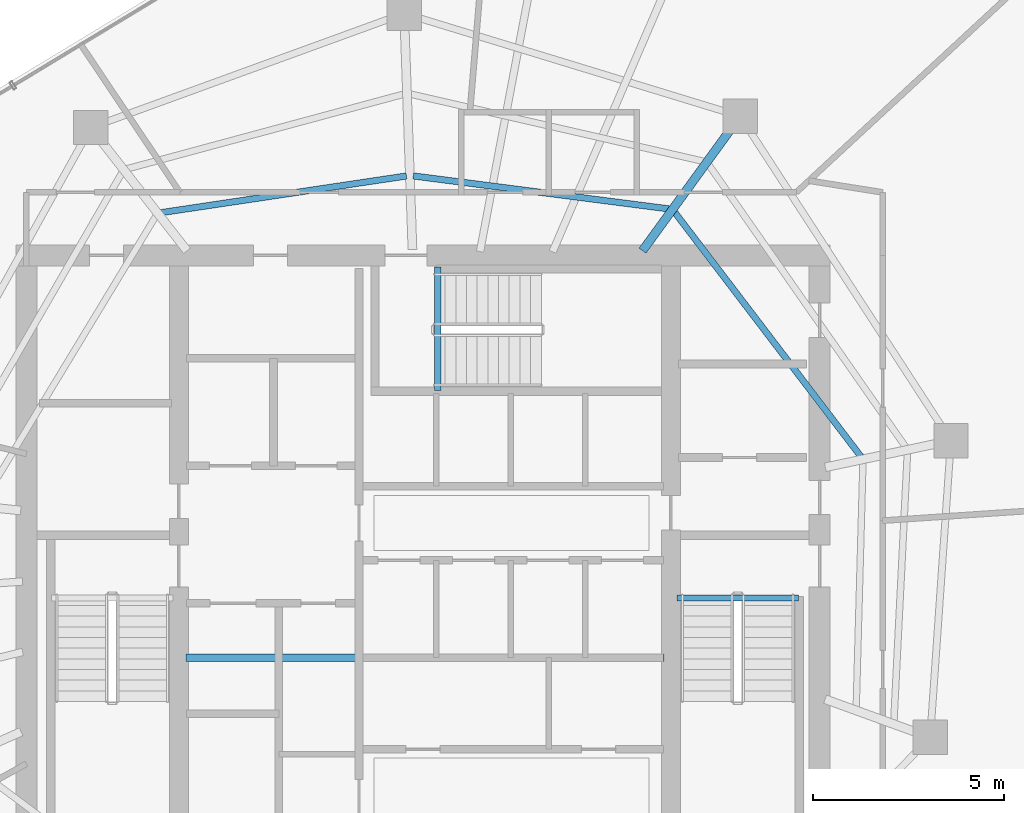
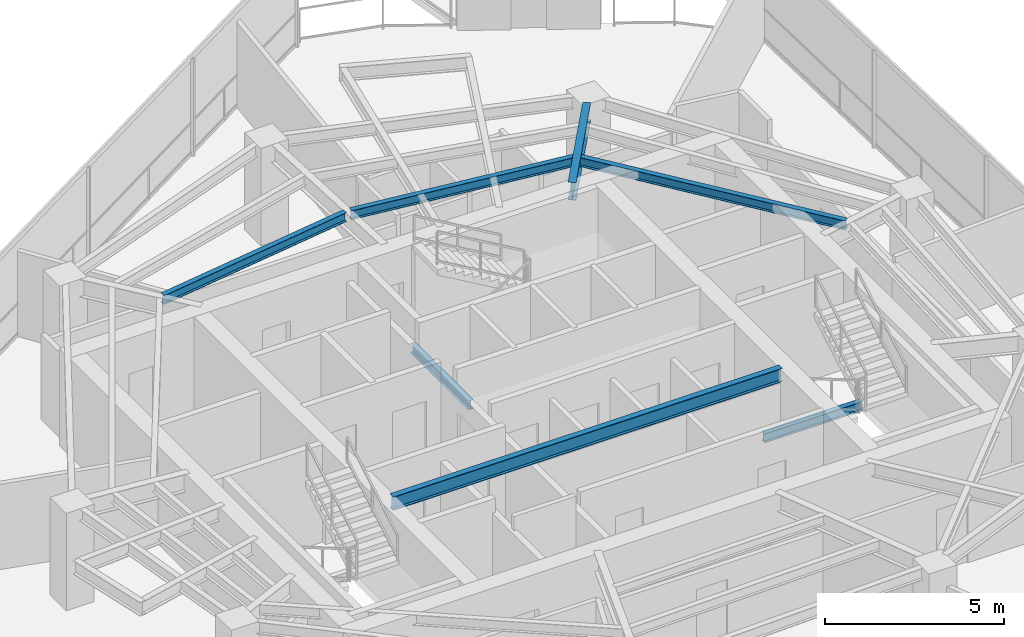
# One storey, part 6 of 19: 7 beams.
"""IFC4 building model written with IfcOpenShell, lengths in metres."""

from ifc_helpers import new_model, si_unit, direction, frame, origin, origin_2d, place, context, subcontext, project, spatial, i_section, extrude, material, material_profile, profile_set, type_object, element, save


model = new_model("IFC4")

# Units and contexts
model_context = context("Model", 3, precision=1e-05, world=origin(), true_north=direction((0.0, 1.0)))
body_context = subcontext(model_context, "Body", "Model", "MODEL_VIEW")
ifc_project = project(units=[si_unit("LENGTHUNIT", "METRE"), si_unit("AREAUNIT", "SQUARE_METRE"), si_unit("VOLUMEUNIT", "CUBIC_METRE"), si_unit("PLANEANGLEUNIT", "RADIAN"), si_unit("MASSUNIT", "GRAM", prefix="KILO")], contexts=[model_context])

# Site, building, storey
site_placement = place(None, origin())
site = spatial("IfcSite", under=ifc_project, at=site_placement, CompositionType="ELEMENT")
building_placement = place(site_placement, origin())
building = spatial("IfcBuilding", under=site, at=building_placement, Name="Qarnah Convention Tower", CompositionType="ELEMENT")
storey_placement = place(building_placement, frame((0.0, 0.0, 184.199951171875)))
storey = spatial("IfcBuildingStorey", under=building, at=storey_placement, Name="L49", CompositionType="ELEMENT", Elevation=184.199951171875)

# Beams
ifc_material = material(Name="Structural steel S355JR", Category="steel")
ifc_material_profile_1 = material_profile(ifc_material, i_section(OverallWidth=0.19189453125, OverallDepth=0.464111328125, WebThickness=0.010986328125, FlangeThickness=0.01806640625, at=origin_2d()), Name="W460X89")
ifc_profile_set_1 = profile_set([ifc_material_profile_1], Name="Structural steel S355JR")
beam_type_1 = type_object("IfcBeamType", Name="BM-CANT-W460A", PredefinedType="BEAM", material=ifc_profile_set_1)
beam_1_placement = place(storey_placement, frame((30.97998046875, 23.64990234375, 3.088134765625), z_axis=(1.0, 0.0, 0.0), x_axis=(0.0, 1.0, 0.0)))
element("IfcBeam", 1, at=beam_1_placement, inside=storey, type_object=beam_type_1, Name="L49 beam BM-L49-KC1", PredefinedType="BEAM", context=body_context, shape_type="SweptSolid", body=[
    extrude(i_section(OverallWidth=0.19189453125, OverallDepth=0.464111328125, WebThickness=0.010986328125, FlangeThickness=0.01806640625, at=origin_2d()), origin(), (0.0, 0.0, 1.0), 12.5400390625),
])
ifc_material_profile_2 = material_profile(ifc_material, i_section(OverallWidth=0.166015625, OverallDepth=0.31201171875, WebThickness=0.007080078125, FlangeThickness=0.010986328125, at=origin_2d()), Name="W310X45")
ifc_profile_set_2 = profile_set([ifc_material_profile_2], Name="Structural steel S355JR")
beam_type_2 = type_object("IfcBeamType", Name="BM-JST-W310", PredefinedType="JOIST", material=ifc_profile_set_2)
beam_2_placement = place(storey_placement, frame((43.860107421875, 25.217041015625, -0.156005859375), z_axis=(1.0, 0.0, 0.0), x_axis=(0.0, 1.0, 0.0)))
element("IfcBeam", 2, at=beam_2_placement, inside=storey, type_object=beam_type_2, Name="L49 stair landing trimmer beam BM-L49-ST2-TRM", PredefinedType="BEAM", context=body_context, shape_type="SweptSolid", body=[
    extrude(i_section(OverallWidth=0.166015625, OverallDepth=0.31201171875, WebThickness=0.007080078125, FlangeThickness=0.010986328125, at=origin_2d()), origin(), (0.0, 0.0, 1.0), 3.179931640625),
])
beam_3_placement = place(storey_placement, frame((37.5830078125, 30.659912109375, -0.156005859375), z_axis=(0.0, 1.0, 0.0), x_axis=(-1.0, 0.0, 0.0)))
element("IfcBeam", 3, at=beam_3_placement, inside=storey, type_object=beam_type_2, Name="L49 stair landing trimmer beam BM-L49-ST3-TRM", PredefinedType="BEAM", context=body_context, shape_type="SweptSolid", body=[
    extrude(i_section(OverallWidth=0.166015625, OverallDepth=0.31201171875, WebThickness=0.007080078125, FlangeThickness=0.010986328125, at=origin_2d()), origin(), (0.0, 0.0, 1.0), 3.239990234375),
])
beam_4_placement = place(storey_placement, frame((48.680908203125, 28.924072265625, 3.1640625), z_axis=(-0.606259548409, 0.795266848273, 0.0), x_axis=(-0.795266848273, -0.606259548409, 0.0)))
element("IfcBeam", 4, at=beam_4_placement, inside=storey, type_object=beam_type_2, Name="L49 joist BM-L49-IJST-01", PredefinedType="JOIST", context=body_context, shape_type="SweptSolid", body=[
    extrude(i_section(OverallWidth=0.166015625, OverallDepth=0.31201171875, WebThickness=0.007080078125, FlangeThickness=0.010986328125, at=origin_2d()), origin(), (0.0, 0.0, 1.0), 8.0576171875),
])
beam_5_placement = place(storey_placement, frame((43.652099609375, 35.416015625, 3.1640625), z_axis=(-0.991788356049, 0.127890018397, 0.0), x_axis=(-0.127890018397, -0.991788356049, 0.0)))
element("IfcBeam", 5, at=beam_5_placement, inside=storey, type_object=beam_type_2, Name="L49 joist BM-L49-IJST-02", PredefinedType="JOIST", context=body_context, shape_type="SweptSolid", body=[
    extrude(i_section(OverallWidth=0.166015625, OverallDepth=0.31201171875, WebThickness=0.007080078125, FlangeThickness=0.010986328125, at=origin_2d()), origin(), (0.0, 0.0, 1.0), 6.763427734375),
])
beam_6_placement = place(storey_placement, frame((36.76611328125, 36.280029296875, 3.1640625), z_axis=(-0.989011636558, -0.14783769057, 0.0), x_axis=(0.14783769057, -0.989011636558, 0.0)))
element("IfcBeam", 6, at=beam_6_placement, inside=storey, type_object=beam_type_2, Name="L49 joist BM-L49-IJST-03", PredefinedType="JOIST", context=body_context, shape_type="SweptSolid", body=[
    extrude(i_section(OverallWidth=0.166015625, OverallDepth=0.31201171875, WebThickness=0.007080078125, FlangeThickness=0.010986328125, at=origin_2d()), origin(), (0.0, 0.0, 1.0), 6.506591796875),
])
ifc_material_profile_3 = material_profile(ifc_material, i_section(OverallWidth=0.22802734375, OverallDepth=0.60791015625, WebThickness=0.010986328125, FlangeThickness=0.01708984375, at=origin_2d()), Name="W610X113")
ifc_profile_set_3 = profile_set([ifc_material_profile_3], Name="Structural steel S355JR")
beam_type_3 = type_object("IfcBeamType", Name="BM-RAD-W610B", PredefinedType="BEAM", material=ifc_profile_set_3)
beam_7_placement = place(storey_placement, frame((42.955078125, 34.321044921875, 3.01611328125), z_axis=(0.587650613849, 0.809114797815, 0.0), x_axis=(-0.809114797815, 0.587650613849, 0.0)))
element("IfcBeam", 7, at=beam_7_placement, inside=storey, type_object=beam_type_3, Name="L49 beam BM-L49-RAD-02", PredefinedType="BEAM", context=body_context, shape_type="SweptSolid", body=[
    extrude(i_section(OverallWidth=0.22802734375, OverallDepth=0.60791015625, WebThickness=0.010986328125, FlangeThickness=0.01708984375, at=origin_2d()), origin(), (0.0, 0.0, 1.0), 3.928955078125),
])

save(model, "model.ifc")
